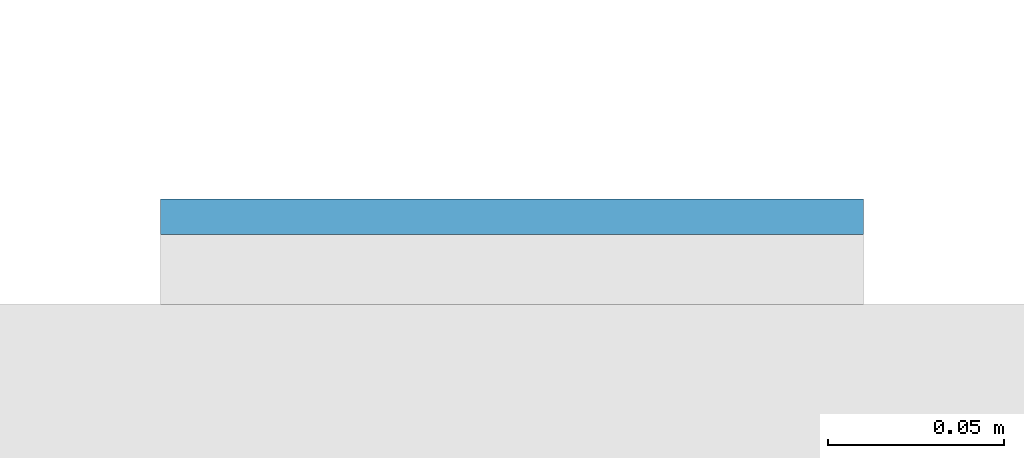
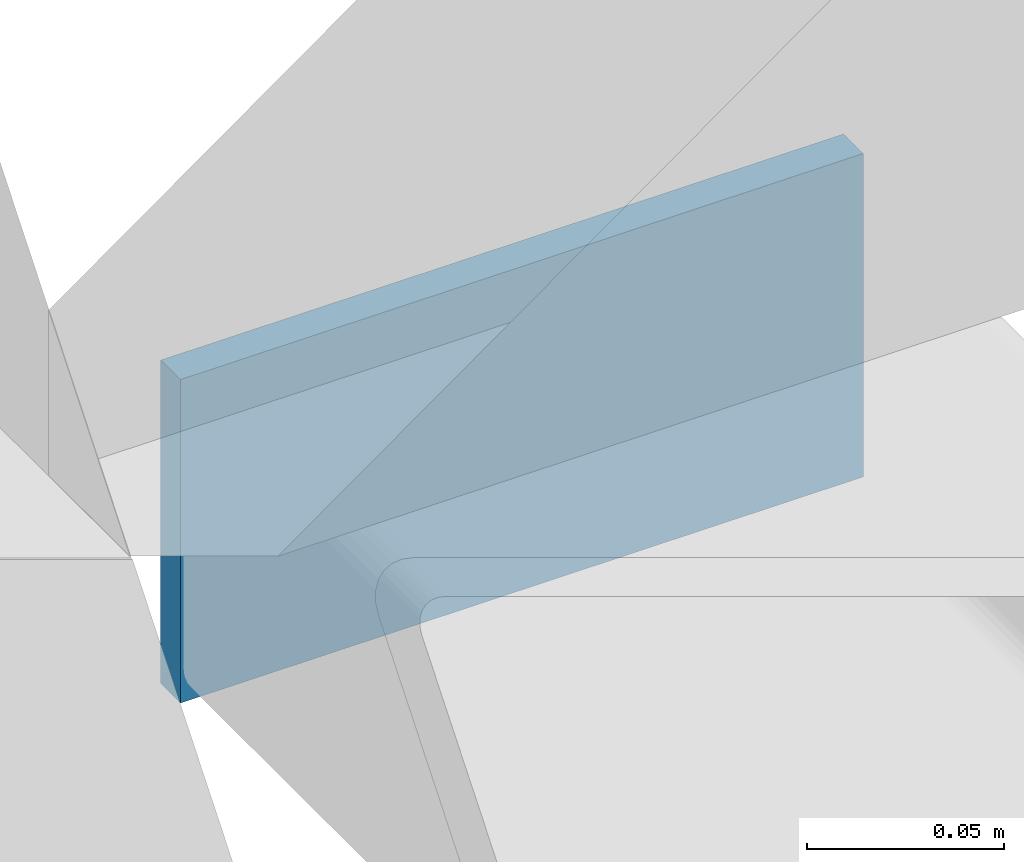
# One storey, part 11 of 20: 1 plate.
"""IFC4 building model written with IfcOpenShell, lengths in metres."""

from ifc_helpers import new_model, si_unit, direction, frame, origin, origin_2d, place, context, subcontext, project, spatial, rectangle, extrude, material, layer, layer_set, type_object, element, save


model = new_model("IFC4")

# Units and contexts
model_context = context("Model", 3, precision=1e-05, world=origin(), true_north=direction((0.0, 1.0)))
body_context = subcontext(model_context, "Body", "Model", "MODEL_VIEW")
ifc_project = project(units=[si_unit("LENGTHUNIT", "METRE"), si_unit("AREAUNIT", "SQUARE_METRE"), si_unit("VOLUMEUNIT", "CUBIC_METRE"), si_unit("PLANEANGLEUNIT", "RADIAN"), si_unit("MASSUNIT", "GRAM", prefix="KILO")], contexts=[model_context])

# Site, building, storey
site_placement = place(None, origin())
site = spatial("IfcSite", under=ifc_project, at=site_placement, CompositionType="ELEMENT")
building_placement = place(site_placement, origin())
building = spatial("IfcBuilding", under=site, at=building_placement, Name="Cleftline Residences", CompositionType="ELEMENT")
storey_placement = place(building_placement, frame((0.0, 0.0, 72.800048828125)))
storey = spatial("IfcBuildingStorey", under=building, at=storey_placement, Name="L18", CompositionType="ELEMENT", Elevation=72.800048828125)

# Plate
ifc_material = material(Name="Steel S355, hot-dip galvanised", Category="steel")
ifc_layer = layer(ifc_material, 0.010009765625)
ifc_layer_set = layer_set([ifc_layer], Name="BAGUETTE CARRIER END PLATE 200X100X10")
plate_type = type_object("IfcPlateType", Name="BAGUETTE CARRIER END PLATE 200X100X10", PredefinedType="USERDEFINED", material=ifc_layer_set)
plate_placement = place(storey_placement, frame((66.85009765625, 44.304931640625, -0.10009765625), z_axis=(0.0, 0.0, 1.0), x_axis=(1.0, 0.0, 0.0)))
element("IfcPlate", 1, at=plate_placement, inside=storey, type_object=plate_type, Name="Baguette carrier end plate", ObjectType="BAGUETTE CARRIER END PLATE", PredefinedType="USERDEFINED", context=body_context, shape_type="SweptSolid", body=[
    extrude(rectangle(XDim=0.199951171875, YDim=0.010009765625, at=origin_2d()), origin(), (0.0, 0.0, 1.0), 0.10009765625),
])

save(model, "model.ifc")
